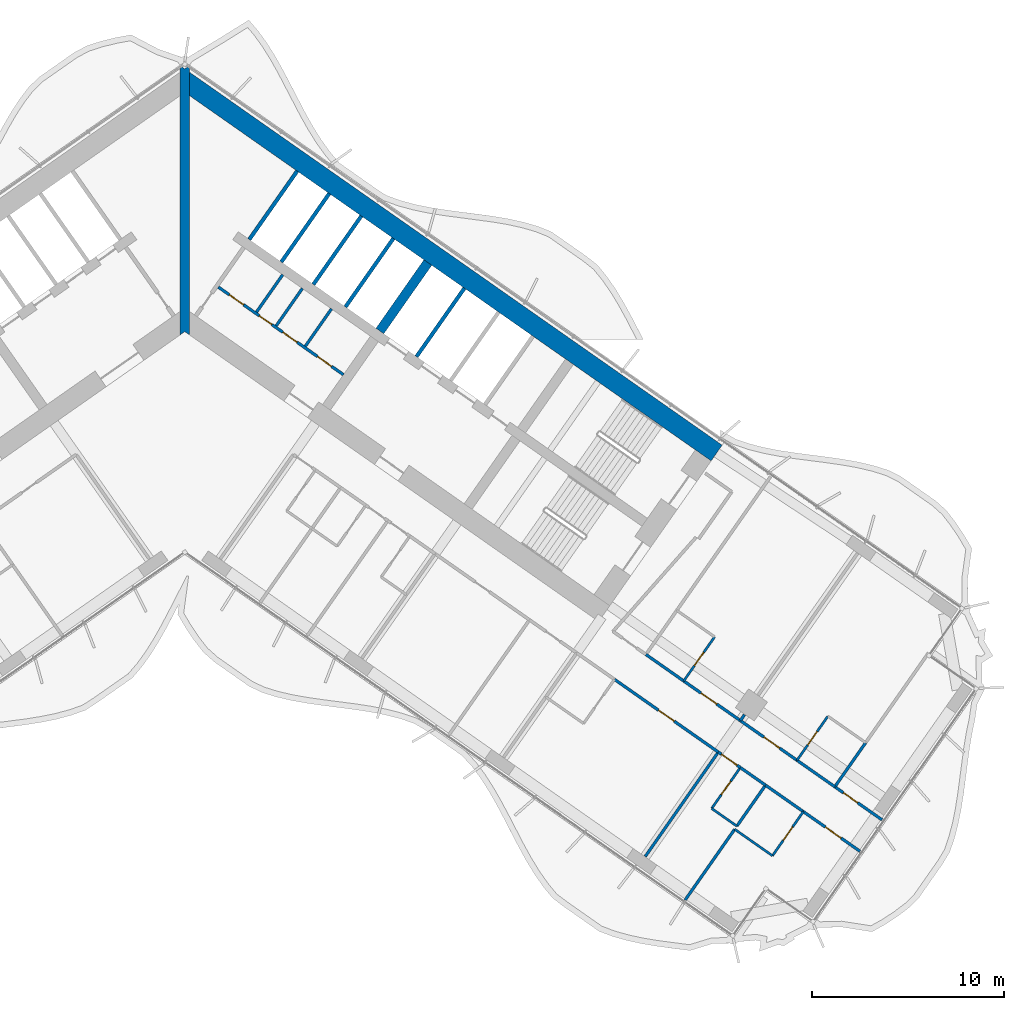
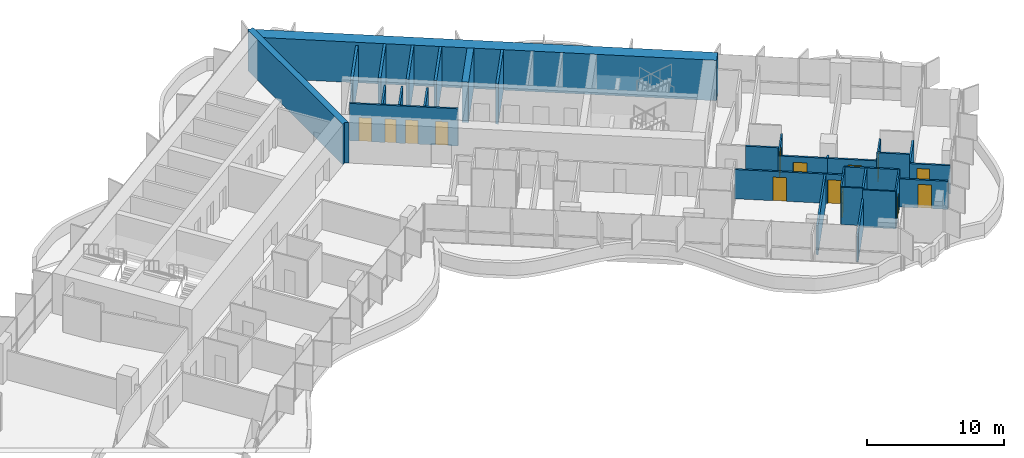
# One storey, part 15 of 23: 33 walls, 14 doors, 14 openings.
"""IFC4 building model written with IfcOpenShell, lengths in metres."""

from ifc_helpers import new_model, si_unit, direction, frame, frame_2d, origin, place, context, subcontext, project, spatial, polyline, rectangle, outline, extrude, material, layer, layer_set, type_object, element, fill, save


model = new_model("IFC4")

# Units and contexts
model_context = context("Model", 3, precision=1e-05, world=origin(), true_north=direction((0.0, 1.0)))
body_context = subcontext(model_context, "Body", "Model", "MODEL_VIEW")
ifc_project = project(units=[si_unit("LENGTHUNIT", "METRE"), si_unit("AREAUNIT", "SQUARE_METRE"), si_unit("VOLUMEUNIT", "CUBIC_METRE"), si_unit("PLANEANGLEUNIT", "RADIAN"), si_unit("MASSUNIT", "GRAM", prefix="KILO")], contexts=[model_context])

# Site, building, storey
site_placement = place(None, origin())
site = spatial("IfcSite", under=ifc_project, at=site_placement, CompositionType="ELEMENT")
building_placement = place(site_placement, origin())
building = spatial("IfcBuilding", under=site, at=building_placement, Name="Tel Ilan Convention Tower", CompositionType="ELEMENT")
storey_placement = place(building_placement, frame((0.0, 0.0, 115.699951171875)))
storey = spatial("IfcBuildingStorey", under=building, at=storey_placement, Name="L25", CompositionType="ELEMENT", Elevation=115.699951171875)

# Wall, openings, doors
ifc_material_1 = material(Name="Gypsum Plasterboard on Steel Stud", Category="steel")
ifc_layer_1 = layer(ifc_material_1, 0.14990234375)
ifc_layer_set_1 = layer_set([ifc_layer_1], Name="Core Room Partition Wall 150 mm EI 60")
wall_type_1 = type_object("IfcWallType", Name="Core Room Partition Wall 150 mm EI 60", PredefinedType="PARTITIONING", material=ifc_layer_set_1)
wall_1_placement = place(storey_placement, frame((1.7451171875, 1.097412109375, 0.0), z_axis=(0.0, 0.0, 1.0), x_axis=(0.819156890572, -0.573569515079, 0.0)))
wall_1 = element("IfcWall", 1, at=wall_1_placement, inside=storey, type_object=wall_type_1, Name="L25 core wall wc-h1", PredefinedType="PARTITIONING", context=body_context, shape_type="SweptSolid", body=[
    extrude(rectangle(XDim=7.949951171875, YDim=0.14990234375, at=frame_2d((3.97509765625, 0.0))), origin(), (0.0, 0.0, 1.0), 3.320068359375),
])
opening_1_placement = place(wall_1_placement, frame((0.699951171875, 0.0, 0.0)))
opening_1 = element("IfcOpeningElement", 2, at=opening_1_placement, cuts=wall_1, Name="Opening CD2010", PredefinedType="OPENING", context=body_context, shape_type="SweptSolid", body=[
    extrude(rectangle(XDim=0.89990234375, YDim=2.10009765625, at=frame_2d((0.449951171875, 1.050048828125))), frame((0.0, 0.0849609375, 0.0), z_axis=(0.0, -1.0, 0.0), x_axis=(1.0, 0.0, 0.0)), (0.0, 0.0, 1.0), 0.169921875),
])
opening_2_placement = place(wall_1_placement, frame((2.60009765625, 0.0, 0.0)))
opening_2 = element("IfcOpeningElement", 3, at=opening_2_placement, cuts=wall_1, Name="Opening CD2009", PredefinedType="OPENING", context=body_context, shape_type="SweptSolid", body=[
    extrude(rectangle(XDim=0.800048828125, YDim=2.10009765625, at=frame_2d((0.39990234375, 1.050048828125))), frame((0.0, 0.0849609375, 0.0), z_axis=(0.0, -1.0, 0.0), x_axis=(1.0, 0.0, 0.0)), (0.0, 0.0, 1.0), 0.169921875),
])
opening_3_placement = place(wall_1_placement, frame((4.10009765625, 0.0, 0.0)))
opening_3 = element("IfcOpeningElement", 4, at=opening_3_placement, cuts=wall_1, Name="Opening CD2008", PredefinedType="OPENING", context=body_context, shape_type="SweptSolid", body=[
    extrude(rectangle(XDim=0.89990234375, YDim=2.10009765625, at=frame_2d((0.449951171875, 1.050048828125))), frame((0.0, 0.0849609375, 0.0), z_axis=(0.0, -1.0, 0.0), x_axis=(1.0, 0.0, 0.0)), (0.0, 0.0, 1.0), 0.169921875),
])
opening_4_placement = place(wall_1_placement, frame((6.300048828125, 0.0, 0.0)))
opening_4 = element("IfcOpeningElement", 5, at=opening_4_placement, cuts=wall_1, Name="Opening CD2011", PredefinedType="OPENING", context=body_context, shape_type="SweptSolid", body=[
    extrude(rectangle(XDim=0.89990234375, YDim=2.10009765625, at=frame_2d((0.449951171875, 1.050048828125))), frame((0.0, 0.0849609375, 0.0), z_axis=(0.0, -1.0, 0.0), x_axis=(1.0, 0.0, 0.0)), (0.0, 0.0, 1.0), 0.169921875),
])
ifc_material_2 = material(Name="Galvanised Steel Door Leaf", Category="steel")
door_type_1 = type_object("IfcDoorType", Name="Store Door 800 x 2100 FD60", OperationType="NOTDEFINED", PredefinedType="DOOR", material=ifc_material_2)
door_1_placement = place(opening_2_placement, origin())
door_1 = element("IfcDoor", 6, at=door_1_placement, inside=storey, type_object=door_type_1, Name="Cleaner's store door", OperationType="SINGLE_SWING_RIGHT", OverallHeight=2.10009765625, OverallWidth=0.800048828125, PredefinedType="DOOR", context=body_context, shape_type="SweptSolid", body=[
    extrude(rectangle(XDim=0.800048828125, YDim=2.10009765625, at=frame_2d((0.39990234375, 1.050048828125))), frame((0.0, 0.02490234375, 0.0), z_axis=(0.0, -1.0, 0.0), x_axis=(1.0, 0.0, 0.0)), (0.0, 0.0, 1.0), 0.050048828125),
])
fill(opening_2, door_1)
ifc_material_3 = material(Name="Laminated Timber Door Leaf", Category="wood")
door_type_2 = type_object("IfcDoorType", Name="Toilet Door 900 x 2100 FD30S", OperationType="NOTDEFINED", PredefinedType="DOOR", material=ifc_material_3)
door_2_placement = place(opening_1_placement, origin())
door_2 = element("IfcDoor", 7, at=door_2_placement, inside=storey, type_object=door_type_2, Name="Men's WC door", OperationType="SINGLE_SWING_RIGHT", OverallHeight=2.10009765625, OverallWidth=0.89990234375, PredefinedType="DOOR", context=body_context, shape_type="SweptSolid", body=[
    extrude(rectangle(XDim=0.89990234375, YDim=2.10009765625, at=frame_2d((0.449951171875, 1.050048828125))), frame((0.0, 0.02490234375, 0.0), z_axis=(0.0, -1.0, 0.0), x_axis=(1.0, 0.0, 0.0)), (0.0, 0.0, 1.0), 0.050048828125),
])
fill(opening_1, door_2)
door_3_placement = place(opening_3_placement, origin())
door_3 = element("IfcDoor", 8, at=door_3_placement, inside=storey, type_object=door_type_2, Name="Accessible WC door", OperationType="SINGLE_SWING_RIGHT", OverallHeight=2.10009765625, OverallWidth=0.89990234375, PredefinedType="DOOR", context=body_context, shape_type="SweptSolid", body=[
    extrude(rectangle(XDim=0.89990234375, YDim=2.10009765625, at=frame_2d((0.449951171875, 1.050048828125))), frame((0.0, 0.02490234375, 0.0), z_axis=(0.0, -1.0, 0.0), x_axis=(1.0, 0.0, 0.0)), (0.0, 0.0, 1.0), 0.050048828125),
])
fill(opening_3, door_3)
door_4_placement = place(opening_4_placement, origin())
door_4 = element("IfcDoor", 9, at=door_4_placement, inside=storey, type_object=door_type_2, Name="Women's WC door", OperationType="SINGLE_SWING_RIGHT", OverallHeight=2.10009765625, OverallWidth=0.89990234375, PredefinedType="DOOR", context=body_context, shape_type="SweptSolid", body=[
    extrude(rectangle(XDim=0.89990234375, YDim=2.10009765625, at=frame_2d((0.449951171875, 1.050048828125))), frame((0.0, 0.02490234375, 0.0), z_axis=(0.0, -1.0, 0.0), x_axis=(1.0, 0.0, 0.0)), (0.0, 0.0, 1.0), 0.050048828125),
])
fill(opening_4, door_4)

# Walls
for number, where, z_axis, x_axis, name in (
    (10, (3.733642578125, -0.203369140625, 0.0), (0.0, 0.0, 1.0), (0.573579618003, 0.819149816463, 0.0), "L25 core wall wc-v0"),
    (11, (4.757568359375, -0.92041015625, 0.0), (0.0, 0.0, 1.0), (0.573579618003, 0.819149816463, 0.0), "L25 core wall wc-v1"),
    (12, (6.27294921875, -1.9814453125, 0.0), (0.0, 0.0, 1.0), (0.573579618003, 0.819149816463, 0.0), "L25 core wall wc-v2"),
):
    element("IfcWall", number, at=place(storey_placement, frame(where, z_axis=z_axis, x_axis=x_axis)), inside=storey, type_object=wall_type_1, Name=name, PredefinedType="PARTITIONING", context=body_context, shape_type="SweptSolid", body=[
        extrude(rectangle(XDim=2.375, YDim=0.14990234375, at=frame_2d((1.1875, 0.0))), origin(), (0.0, 0.0, 1.0), 3.320068359375),
    ])
ifc_material_4 = material(Name="Concrete C30/37", Category="concrete")
ifc_layer_2 = layer(ifc_material_4, 0.199951171875)
ifc_layer_set_2 = layer_set([ifc_layer_2], Name="Core Service Room Wall 200 mm C30/37")
wall_type_2 = type_object("IfcWallType", Name="Core Service Room Wall 200 mm C30/37", PredefinedType="SOLIDWALL", material=ifc_layer_set_2)
wall_2_placement = place(storey_placement, frame((3.355224609375, 3.5712890625, 0.0), z_axis=(0.0, 0.0, 1.0), x_axis=(0.57356780395, 0.819158088694, 0.0)))
element("IfcWall", 13, at=wall_2_placement, inside=storey, type_object=wall_type_2, Name="L25 core wall apex-E-b", PredefinedType="SOLIDWALL", context=body_context, shape_type="SweptSolid", body=[
    extrude(rectangle(XDim=4.35009765625, YDim=0.199951171875, at=frame_2d((2.175048828125, 0.0))), origin(), (0.0, 0.0, 1.0), 3.320068359375),
])
ifc_material_5 = material(Name="Concrete C60/75", Category="concrete")
ifc_layer_3 = layer(ifc_material_5, 1.0)
ifc_layer_set_3 = layer_set([ifc_layer_3], Name="Core Shear Wall 1000 mm C60/75")
wall_type_3 = type_object("IfcWallType", Name="Core Shear Wall 1000 mm C60/75", PredefinedType="SHEAR", material=ifc_layer_set_3)
wall_3_placement = place(storey_placement, frame((-0.036865234375, 11.8671875, 0.0), z_axis=(0.0, 0.0, 1.0), x_axis=(0.819155306259, -0.573571777746, 0.0)))
element("IfcWall", 14, at=wall_3_placement, inside=storey, type_object=wall_type_3, Name="L25 core wall E-back", PredefinedType="SHEAR", context=body_context, shape_type="SweptSolid", body=[
    extrude(outline(polyline([(33.8369140625, 0.5), (0.0, 0.5), (0.7001953125, -0.499755859375), (33.8369140625, -0.5), (33.8369140625, 0.5)])), origin(), (0.0, 0.0, 1.0), 3.60009765625),
])
ifc_material_6 = material(Name="Concrete C60/75", Category="concrete")
ifc_layer_4 = layer(ifc_material_6, 0.5)
ifc_layer_set_4 = layer_set([ifc_layer_4], Name="Core Shear Wall 500 mm C60/75")
wall_type_4 = type_object("IfcWallType", Name="Core Shear Wall 500 mm C60/75", PredefinedType="SHEAR", material=ifc_layer_set_4)
wall_4_placement = place(storey_placement, frame((10.154296875, -1.189208984375, 0.0), z_axis=(0.0, 0.0, 1.0), x_axis=(0.573594173421, 0.819139624372, 0.0)))
element("IfcWall", 15, at=wall_4_placement, inside=storey, type_object=wall_type_4, Name="L25 core wall E-cross1-2", PredefinedType="SHEAR", context=body_context, shape_type="SweptSolid", body=[
    extrude(outline(polyline([(4.349853515625, -0.25), (4.349853515625, 0.25), (-0.000244140625, 0.25), (-0.000244140625, -0.25), (4.349853515625, -0.25)])), origin(), (0.0, 0.0, 1.0), 3.60009765625),
])
wall_5_placement = place(storey_placement, frame((0.0, -1.395751953125, 0.0), z_axis=(0.0, 0.0, 1.0), x_axis=(0.0, 1.0, 0.0)))
element("IfcWall", 16, at=wall_5_placement, inside=storey, type_object=wall_type_4, Name="L25 core wall K-central", PredefinedType="SHEAR", context=body_context, shape_type="SweptSolid", body=[
    extrude(outline(polyline([(0.0, -0.25), (0.175048828125, -0.25), (1.220703125, -0.25), (12.451904296875, -0.25), (13.84765625, -0.25), (13.85693359375, -0.25), (13.96826171875, -0.172119140625), (13.84765625, 0.0), (13.96826171875, 0.172119140625), (13.85693359375, 0.25), (13.84765625, 0.25), (12.451904296875, 0.25), (1.220703125, 0.25), (0.175048828125, 0.25), (0.0, 0.25), (0.175048828125, 0.0), (0.0, -0.25)])), origin(), (0.0, 0.0, 1.0), 3.60009765625),
])

# Wall, opening, door
ifc_material_7 = material(Name="Plasterboard on Steel Studs", Category="steel")
ifc_layer_5 = layer(ifc_material_7, 0.14990234375)
ifc_layer_set_5 = layer_set([ifc_layer_5], Name="Fire-rated Partition 150 EI 60")
wall_type_5 = type_object("IfcWallType", Name="Fire-rated Partition 150 EI 60", PredefinedType="PARTITIONING", material=ifc_layer_set_5)
wall_6_placement = place(storey_placement, frame((25.966064453125, -19.402587890625, 0.0), z_axis=(0.0, 0.0, 1.0), x_axis=(0.81917779803, -0.57353965444, 0.0)))
wall_6 = element("IfcWall", 17, at=wall_6_placement, inside=storey, type_object=wall_type_5, Name="Partition 002", PredefinedType="PARTITIONING", context=body_context, shape_type="SweptSolid", body=[
    extrude(rectangle(XDim=3.602783203125, YDim=0.14990234375, at=frame_2d((1.80126953125, 0.0))), origin(), (0.0, 0.0, 1.0), 2.60009765625),
])
opening_5_placement = place(wall_6_placement, frame((1.10107421875, 0.0, 0.0)))
opening_5 = element("IfcOpeningElement", 18, at=opening_5_placement, cuts=wall_6, Name="Opening L24-029", PredefinedType="OPENING", context=body_context, shape_type="SweptSolid", body=[
    extrude(rectangle(XDim=1.0, YDim=2.10009765625, at=frame_2d((0.5, 1.050048828125))), frame((0.0, 0.0849609375, 0.0), z_axis=(0.0, -1.0, 0.0), x_axis=(1.0, 0.0, 0.0)), (0.0, 0.0, 1.0), 0.169921875),
])
ifc_material_8 = material(Name="Timber Door Leaf in Steel Frame", Category="steel")
door_type_3 = type_object("IfcDoorType", Name="Hotel Room Entrance Fire Door 1000x2100", OperationType="NOTDEFINED", PredefinedType="DOOR", material=ifc_material_8)
door_5_placement = place(opening_5_placement, origin())
door_5 = element("IfcDoor", 19, at=door_5_placement, inside=storey, type_object=door_type_3, Name="Door L24-029", OperationType="SINGLE_SWING_LEFT", OverallHeight=2.10009765625, OverallWidth=1.0, PredefinedType="DOOR", context=body_context, shape_type="SweptSolid", body=[
    extrude(rectangle(XDim=1.0, YDim=2.10009765625, at=frame_2d((0.5, 1.050048828125))), frame((0.0, 0.02490234375, 0.0), z_axis=(0.0, -1.0, 0.0), x_axis=(1.0, 0.0, 0.0)), (0.0, 0.0, 1.0), 0.050048828125),
])
fill(opening_5, door_5)

# Wall
wall_7_placement = place(storey_placement, frame((23.999267578125, -18.025390625, 0.0), z_axis=(0.0, 0.0, 1.0), x_axis=(0.819146032251, -0.573585022335, 0.0)))
element("IfcWall", 20, at=wall_7_placement, inside=storey, type_object=wall_type_5, Name="Partition 003", PredefinedType="PARTITIONING", context=body_context, shape_type="SweptSolid", body=[
    extrude(rectangle(XDim=2.404052734375, YDim=0.14990234375, at=frame_2d((1.2021484375, 0.0))), origin(), (0.0, 0.0, 1.0), 3.320068359375),
])

# Wall, opening, door
wall_8_placement = place(storey_placement, frame((28.914306640625, -21.466796875, 0.0), z_axis=(0.0, 0.0, 1.0), x_axis=(0.819145961204, -0.573585123798, 0.0)))
wall_8 = element("IfcWall", 21, at=wall_8_placement, inside=storey, type_object=wall_type_5, Name="Partition 004", PredefinedType="PARTITIONING", context=body_context, shape_type="SweptSolid", body=[
    extrude(rectangle(XDim=3.60302734375, YDim=0.14990234375, at=frame_2d((1.801513671875, 0.0))), origin(), (0.0, 0.0, 1.0), 2.60009765625),
])
opening_6_placement = place(wall_8_placement, frame((1.501953125, 0.0, 0.0)))
opening_6 = element("IfcOpeningElement", 22, at=opening_6_placement, cuts=wall_8, Name="Opening L24-031", PredefinedType="OPENING", context=body_context, shape_type="SweptSolid", body=[
    extrude(rectangle(XDim=1.0, YDim=2.10009765625, at=frame_2d((0.5, 1.050048828125))), frame((0.0, 0.0849609375, 0.0), z_axis=(0.0, -1.0, 0.0), x_axis=(1.0, 0.0, 0.0)), (0.0, 0.0, 1.0), 0.169921875),
])
door_6_placement = place(opening_6_placement, origin())
door_6 = element("IfcDoor", 23, at=door_6_placement, inside=storey, type_object=door_type_3, Name="Door L24-031", OperationType="SINGLE_SWING_LEFT", OverallHeight=2.10009765625, OverallWidth=1.0, PredefinedType="DOOR", context=body_context, shape_type="SweptSolid", body=[
    extrude(rectangle(XDim=1.0, YDim=2.10009765625, at=frame_2d((0.5, 1.050048828125))), frame((0.0, 0.02490234375, 0.0), z_axis=(0.0, -1.0, 0.0), x_axis=(1.0, 0.0, 0.0)), (0.0, 0.0, 1.0), 0.050048828125),
])
fill(opening_6, door_6)

# Wall
wall_9_placement = place(storey_placement, frame((31.86328125, -23.531494140625, 0.0), z_axis=(0.0, 0.0, 1.0), x_axis=(0.819146032251, -0.573585022335, 0.0)))
element("IfcWall", 24, at=wall_9_placement, inside=storey, type_object=wall_type_5, Name="Partition 005", PredefinedType="PARTITIONING", context=body_context, shape_type="SweptSolid", body=[
    extrude(rectangle(XDim=2.404052734375, YDim=0.14990234375, at=frame_2d((1.2021484375, 0.0))), origin(), (0.0, 0.0, 1.0), 3.320068359375),
])

# Wall, opening, door
wall_10_placement = place(storey_placement, frame((33.8291015625, -24.908203125, 0.0), z_axis=(0.0, 0.0, 1.0), x_axis=(0.81915932427, -0.57356603932, 0.0)))
wall_10 = element("IfcWall", 25, at=wall_10_placement, inside=storey, type_object=wall_type_5, Name="Partition 006", PredefinedType="PARTITIONING", context=body_context, shape_type="SweptSolid", body=[
    extrude(rectangle(XDim=3.002197265625, YDim=0.14990234375, at=frame_2d((1.5009765625, 0.0))), origin(), (0.0, 0.0, 1.0), 2.5),
])
opening_7_placement = place(wall_10_placement, frame((0.551025390625, 0.0, 0.0)))
opening_7 = element("IfcOpeningElement", 26, at=opening_7_placement, cuts=wall_10, Name="Opening L24-032", PredefinedType="OPENING", context=body_context, shape_type="SweptSolid", body=[
    extrude(rectangle(XDim=0.89990234375, YDim=2.10009765625, at=frame_2d((0.449951171875, 1.050048828125))), frame((0.0, 0.0849609375, 0.0), z_axis=(0.0, -1.0, 0.0), x_axis=(1.0, 0.0, 0.0)), (0.0, 0.0, 1.0), 0.169921875),
])
ifc_material_9 = material(Name="Timber Door Leaf in Steel Frame", Category="steel")
door_type_4 = type_object("IfcDoorType", Name="Room Fire Door 900x2100", OperationType="NOTDEFINED", PredefinedType="DOOR", material=ifc_material_9)
door_7_placement = place(opening_7_placement, origin())
door_7 = element("IfcDoor", 27, at=door_7_placement, inside=storey, type_object=door_type_4, Name="Door L24-032", OperationType="SINGLE_SWING_RIGHT", OverallHeight=2.10009765625, OverallWidth=0.89990234375, PredefinedType="DOOR", context=body_context, shape_type="SweptSolid", body=[
    extrude(rectangle(XDim=0.89990234375, YDim=2.10009765625, at=frame_2d((0.449951171875, 1.050048828125))), frame((0.0, 0.02490234375, 0.0), z_axis=(0.0, -1.0, 0.0), x_axis=(1.0, 0.0, 0.0)), (0.0, 0.0, 1.0), 0.050048828125),
])
fill(opening_7, door_7)

wall_11_placement = place(storey_placement, frame((27.7705078125, -23.107421875, 0.0), z_axis=(0.0, 0.0, 1.0), x_axis=(-0.819153746897, 0.573574004767, 0.0)))
wall_11 = element("IfcWall", 28, at=wall_11_placement, inside=storey, type_object=wall_type_5, Name="Partition 015", PredefinedType="PARTITIONING", context=body_context, shape_type="SweptSolid", body=[
    extrude(rectangle(XDim=6.60302734375, YDim=0.14990234375, at=frame_2d((3.301513671875, 0.0))), origin(), (0.0, 0.0, 1.0), 2.60009765625),
])
opening_8_placement = place(wall_11_placement, frame((2.802001953125, 0.0, 0.0)))
opening_8 = element("IfcOpeningElement", 29, at=opening_8_placement, cuts=wall_11, Name="Opening L24-022", PredefinedType="OPENING", context=body_context, shape_type="SweptSolid", body=[
    extrude(rectangle(XDim=1.0, YDim=2.10009765625, at=frame_2d((0.5, 1.050048828125))), frame((0.0, 0.0849609375, 0.0), z_axis=(0.0, -1.0, 0.0), x_axis=(1.0, 0.0, 0.0)), (0.0, 0.0, 1.0), 0.169921875),
])
door_8_placement = place(opening_8_placement, origin())
door_8 = element("IfcDoor", 30, at=door_8_placement, inside=storey, type_object=door_type_3, Name="Door L24-022", OperationType="SINGLE_SWING_LEFT", OverallHeight=2.10009765625, OverallWidth=1.0, PredefinedType="DOOR", context=body_context, shape_type="SweptSolid", body=[
    extrude(rectangle(XDim=1.0, YDim=2.10009765625, at=frame_2d((0.5, 1.050048828125))), frame((0.0, 0.02490234375, 0.0), z_axis=(0.0, -1.0, 0.0), x_axis=(1.0, 0.0, 0.0)), (0.0, 0.0, 1.0), 0.050048828125),
])
fill(opening_8, door_8)

wall_12_placement = place(storey_placement, frame((28.91650390625, -23.909912109375, 0.0), z_axis=(0.0, 0.0, 1.0), x_axis=(-0.819117471667, 0.573625808005, 0.0)))
wall_12 = element("IfcWall", 31, at=wall_12_placement, inside=storey, type_object=wall_type_5, Name="Partition 017", PredefinedType="PARTITIONING", context=body_context, shape_type="SweptSolid", body=[
    extrude(rectangle(XDim=1.4033203125, YDim=0.14990234375, at=frame_2d((0.70166015625, 0.0))), origin(), (0.0, 0.0, 1.0), 2.60009765625),
])
opening_9_placement = place(wall_12_placement, frame((0.200927734375, 0.0, 0.0)))
opening_9 = element("IfcOpeningElement", 32, at=opening_9_placement, cuts=wall_12, Name="Opening L24-024", PredefinedType="OPENING", context=body_context, shape_type="SweptSolid", body=[
    extrude(rectangle(XDim=1.0, YDim=2.10009765625, at=frame_2d((0.5, 1.050048828125))), frame((0.0, 0.0849609375, 0.0), z_axis=(0.0, -1.0, 0.0), x_axis=(1.0, 0.0, 0.0)), (0.0, 0.0, 1.0), 0.169921875),
])
door_9_placement = place(opening_9_placement, origin())
door_9 = element("IfcDoor", 33, at=door_9_placement, inside=storey, type_object=door_type_3, Name="Door L24-024", OperationType="SINGLE_SWING_LEFT", OverallHeight=2.10009765625, OverallWidth=1.0, PredefinedType="DOOR", context=body_context, shape_type="SweptSolid", body=[
    extrude(rectangle(XDim=1.0, YDim=2.10009765625, at=frame_2d((0.5, 1.050048828125))), frame((0.0, 0.02490234375, 0.0), z_axis=(0.0, -1.0, 0.0), x_axis=(1.0, 0.0, 0.0)), (0.0, 0.0, 1.0), 0.050048828125),
])
fill(opening_9, door_9)

# Wall
wall_13_placement = place(storey_placement, frame((30.227783203125, -24.828125, 0.0), z_axis=(0.0, 0.0, 1.0), x_axis=(-0.819189013667, 0.573523634986, 0.0)))
element("IfcWall", 34, at=wall_13_placement, inside=storey, type_object=wall_type_5, Name="Partition 018", PredefinedType="PARTITIONING", context=body_context, shape_type="SweptSolid", body=[
    extrude(rectangle(XDim=1.60400390625, YDim=0.14990234375, at=frame_2d((0.802001953125, 0.0))), origin(), (0.0, 0.0, 1.0), 3.320068359375),
])

# Wall, opening, door
wall_14_placement = place(storey_placement, frame((35.14111328125, -28.268310546875, 0.0), z_axis=(0.0, 0.0, 1.0), x_axis=(-0.819149096931, 0.573580645591, 0.0)))
wall_14 = element("IfcWall", 35, at=wall_14_placement, inside=storey, type_object=wall_type_5, Name="Partition 019", PredefinedType="PARTITIONING", context=body_context, shape_type="SweptSolid", body=[
    extrude(rectangle(XDim=3.600830078125, YDim=0.14990234375, at=frame_2d((1.80029296875, 0.0))), origin(), (0.0, 0.0, 1.0), 2.5),
])
opening_10_placement = place(wall_14_placement, frame((1.199951171875, 0.0, 0.0)))
opening_10 = element("IfcOpeningElement", 36, at=opening_10_placement, cuts=wall_14, Name="Opening L24-026", PredefinedType="OPENING", context=body_context, shape_type="SweptSolid", body=[
    extrude(rectangle(XDim=1.0, YDim=2.10009765625, at=frame_2d((0.5, 1.050048828125))), frame((0.0, 0.0849609375, 0.0), z_axis=(0.0, -1.0, 0.0), x_axis=(1.0, 0.0, 0.0)), (0.0, 0.0, 1.0), 0.169921875),
])
door_10_placement = place(opening_10_placement, origin())
door_10 = element("IfcDoor", 37, at=door_10_placement, inside=storey, type_object=door_type_3, Name="Door L24-026", OperationType="SINGLE_SWING_LEFT", OverallHeight=2.10009765625, OverallWidth=1.0, PredefinedType="DOOR", context=body_context, shape_type="SweptSolid", body=[
    extrude(rectangle(XDim=1.0, YDim=2.10009765625, at=frame_2d((0.5, 1.050048828125))), frame((0.0, 0.02490234375, 0.0), z_axis=(0.0, -1.0, 0.0), x_axis=(1.0, 0.0, 0.0)), (0.0, 0.0, 1.0), 0.050048828125),
])
fill(opening_10, door_10)

# Walls
wall_15_placement = place(storey_placement, frame((32.19384765625, -26.20458984375, 0.0), z_axis=(0.0, 0.0, 1.0), x_axis=(-0.819146032251, 0.573585022335, 0.0)))
element("IfcWall", 38, at=wall_15_placement, inside=storey, type_object=wall_type_5, Name="Partition 020", PredefinedType="PARTITIONING", context=body_context, shape_type="SweptSolid", body=[
    extrude(rectangle(XDim=2.404052734375, YDim=0.14990234375, at=frame_2d((1.2021484375, 0.0))), origin(), (0.0, 0.0, 1.0), 3.320068359375),
])
wall_16_placement = place(storey_placement, frame((29.1337890625, -21.156494140625, 0.0), z_axis=(0.0, 0.0, 1.0), x_axis=(-0.572944929411, -0.819593867633, 0.0)))
element("IfcWall", 39, at=wall_16_placement, inside=storey, type_object=wall_type_5, Name="Partition 041", PredefinedType="PARTITIONING", context=body_context, shape_type="SweptSolid", body=[
    extrude(rectangle(XDim=0.380126953125, YDim=0.14990234375, at=frame_2d((0.18994140625, 0.0))), origin(), (0.0, 0.0, 1.0), 2.60009765625),
])
wall_17_placement = place(storey_placement, frame((35.436767578125, -22.61572265625, 0.0), z_axis=(0.0, 0.0, 1.0), x_axis=(-0.573550118428, -0.819170471667, 0.0)))
element("IfcWall", 40, at=wall_17_placement, inside=storey, type_object=wall_type_5, Name="Partition 045", PredefinedType="PARTITIONING", context=body_context, shape_type="SweptSolid", body=[
    extrude(rectangle(XDim=2.800048828125, YDim=0.14990234375, at=frame_2d((1.39990234375, 0.0))), origin(), (0.0, 0.0, 1.0), 2.60009765625),
])
wall_18_placement = place(storey_placement, frame((27.768798828125, -23.106201171875, 0.0), z_axis=(0.0, 0.0, 1.0), x_axis=(-0.57359826181, -0.819136761505, 0.0)))
element("IfcWall", 41, at=wall_18_placement, inside=storey, type_object=wall_type_5, Name="Partition 063", PredefinedType="PARTITIONING", context=body_context, shape_type="SweptSolid", body=[
    extrude(rectangle(XDim=6.630126953125, YDim=0.14990234375, at=frame_2d((3.31494140625, 0.0))), origin(), (0.0, 0.0, 1.0), 2.60009765625),
])
wall_19_placement = place(storey_placement, frame((28.620849609375, -27.11962890625, 0.0), z_axis=(0.0, 0.0, 1.0), x_axis=(-0.573593387921, -0.81914017441, 0.0)))
element("IfcWall", 42, at=wall_19_placement, inside=storey, type_object=wall_type_5, Name="Partition 066", PredefinedType="PARTITIONING", context=body_context, shape_type="SweptSolid", body=[
    extrude(rectangle(XDim=4.5009765625, YDim=0.14990234375, at=frame_2d((2.25048828125, 0.0))), origin(), (0.0, 0.0, 1.0), 2.5),
])
wall_20_placement = place(storey_placement, frame((30.226318359375, -24.826904296875, 0.0), z_axis=(0.0, 0.0, 1.0), x_axis=(-0.573600972199, -0.819134863556, 0.0)))
element("IfcWall", 43, at=wall_20_placement, inside=storey, type_object=wall_type_5, Name="Partition 067", PredefinedType="PARTITIONING", context=body_context, shape_type="SweptSolid", body=[
    extrude(rectangle(XDim=2.60009765625, YDim=0.14990234375, at=frame_2d((1.300048828125, 0.0))), origin(), (0.0, 0.0, 1.0), 3.320068359375),
])
ifc_material_10 = material(Name="Concrete C30/37", Category="concrete")
ifc_layer_6 = layer(ifc_material_10, 0.199951171875)
ifc_layer_set_6 = layer_set([ifc_layer_6], Name="Lift Shaft Wall 200 mm C30/37")
wall_type_6 = type_object("IfcWallType", Name="Lift Shaft Wall 200 mm C30/37", PredefinedType="SOLIDWALL", material=ifc_layer_set_6)
wall_21_placement = place(storey_placement, frame((5.0244140625, 2.402587890625, 0.0), z_axis=(0.0, 0.0, 1.0), x_axis=(0.573530143085, 0.819184457233, 0.0)))
element("IfcWall", 44, at=wall_21_placement, inside=storey, type_object=wall_type_6, Name="L25 core wall bank-E1-p0", PredefinedType="SOLIDWALL", context=body_context, shape_type="SweptSolid", body=[
    extrude(rectangle(XDim=4.35009765625, YDim=0.199951171875, at=frame_2d((2.175048828125, 0.0))), origin(), (0.0, 0.0, 1.0), 3.60009765625),
])
for number, where, z_axis, x_axis, name in (
    (45, (6.693359375, 1.234130859375, 0.0), (0.0, 0.0, 1.0), (0.573594173421, 0.819139624372, 0.0), "L25 core wall bank-E1-p1"),
    (46, (8.3623046875, 0.0654296875, 0.0), (0.0, 0.0, 1.0), (0.573594173421, 0.819139624372, 0.0), "L25 core wall bank-E1-p2"),
    (47, (12.05859375, -2.52294921875, 0.0), (0.0, 0.0, 1.0), (0.573594173421, 0.819139624372, 0.0), "L25 core wall bank-E2-p0"),
):
    element("IfcWall", number, at=place(storey_placement, frame(where, z_axis=z_axis, x_axis=x_axis)), inside=storey, type_object=wall_type_6, Name=name, PredefinedType="SOLIDWALL", context=body_context, shape_type="SweptSolid", body=[
        extrude(rectangle(XDim=4.349853515625, YDim=0.199951171875, at=frame_2d((2.1748046875, 0.0))), origin(), (0.0, 0.0, 1.0), 3.60009765625),
    ])

# Wall, opening, door
ifc_material_11 = material(Name="Plasterboard on Steel Studs", Category="steel")
ifc_layer_7 = layer(ifc_material_11, 0.1201171875)
ifc_layer_set_7 = layer_set([ifc_layer_7], Name="Moisture-resistant Partition 120")
wall_type_7 = type_object("IfcWallType", Name="Moisture-resistant Partition 120", PredefinedType="PARTITIONING", material=ifc_layer_set_7)
wall_22_placement = place(storey_placement, frame((25.9677734375, -19.403564453125, 0.0), z_axis=(0.0, 0.0, 1.0), x_axis=(0.573591086599, 0.819141785879, 0.0)))
wall_22 = element("IfcWall", 48, at=wall_22_placement, inside=storey, type_object=wall_type_7, Name="Partition 038", PredefinedType="PARTITIONING", context=body_context, shape_type="SweptSolid", body=[
    extrude(rectangle(XDim=2.7998046875, YDim=0.1201171875, at=frame_2d((1.39990234375, 0.0))), origin(), (0.0, 0.0, 1.0), 2.60009765625),
])
opening_11_placement = place(wall_22_placement, frame((0.97509765625, 0.0, 0.0)))
opening_11 = element("IfcOpeningElement", 49, at=opening_11_placement, cuts=wall_22, Name="Opening L24-028", PredefinedType="OPENING", context=body_context, shape_type="SweptSolid", body=[
    extrude(rectangle(XDim=0.85009765625, YDim=2.050048828125, at=frame_2d((0.425048828125, 1.02490234375))), frame((0.0, 0.070068359375, 0.0), z_axis=(0.0, -1.0, 0.0), x_axis=(1.0, 0.0, 0.0)), (0.0, 0.0, 1.0), 0.14013671875),
])
ifc_material_12 = material(Name="Timber Door Leaf in Steel Frame", Category="steel")
door_type_5 = type_object("IfcDoorType", Name="Bathroom Timber Door 850x2050", OperationType="NOTDEFINED", PredefinedType="DOOR", material=ifc_material_12)
door_11_placement = place(opening_11_placement, origin())
door_11 = element("IfcDoor", 50, at=door_11_placement, inside=storey, type_object=door_type_5, Name="Door L24-028", OperationType="SINGLE_SWING_RIGHT", OverallHeight=2.050048828125, OverallWidth=0.85009765625, PredefinedType="DOOR", context=body_context, shape_type="SweptSolid", body=[
    extrude(rectangle(XDim=0.85009765625, YDim=2.050048828125, at=frame_2d((0.425048828125, 1.02490234375))), frame((0.0, 0.02490234375, 0.0), z_axis=(0.0, -1.0, 0.0), x_axis=(1.0, 0.0, 0.0)), (0.0, 0.0, 1.0), 0.050048828125),
])
fill(opening_11, door_11)

wall_23_placement = place(storey_placement, frame((33.469970703125, -21.238525390625, 0.0), z_axis=(0.0, 0.0, 1.0), x_axis=(-0.573550118428, -0.819170471667, 0.0)))
wall_23 = element("IfcWall", 51, at=wall_23_placement, inside=storey, type_object=wall_type_7, Name="Partition 043", PredefinedType="PARTITIONING", context=body_context, shape_type="SweptSolid", body=[
    extrude(rectangle(XDim=2.800048828125, YDim=0.1201171875, at=frame_2d((1.39990234375, 0.0))), origin(), (0.0, 0.0, 1.0), 2.60009765625),
])
opening_12_placement = place(wall_23_placement, frame((0.97509765625, 0.0, 0.0)))
opening_12 = element("IfcOpeningElement", 52, at=opening_12_placement, cuts=wall_23, Name="Opening L24-030", PredefinedType="OPENING", context=body_context, shape_type="SweptSolid", body=[
    extrude(rectangle(XDim=0.85009765625, YDim=2.050048828125, at=frame_2d((0.425048828125, 1.02490234375))), frame((0.0, 0.070068359375, 0.0), z_axis=(0.0, -1.0, 0.0), x_axis=(1.0, 0.0, 0.0)), (0.0, 0.0, 1.0), 0.14013671875),
])
door_12_placement = place(opening_12_placement, origin())
door_12 = element("IfcDoor", 53, at=door_12_placement, inside=storey, type_object=door_type_5, Name="Door L24-030", OperationType="SINGLE_SWING_RIGHT", OverallHeight=2.050048828125, OverallWidth=0.85009765625, PredefinedType="DOOR", context=body_context, shape_type="SweptSolid", body=[
    extrude(rectangle(XDim=0.85009765625, YDim=2.050048828125, at=frame_2d((0.425048828125, 1.02490234375))), frame((0.0, 0.02490234375, 0.0), z_axis=(0.0, -1.0, 0.0), x_axis=(1.0, 0.0, 0.0)), (0.0, 0.0, 1.0), 0.050048828125),
])
fill(opening_12, door_12)

wall_24_placement = place(storey_placement, frame((28.914794921875, -23.90869140625, 0.0), z_axis=(0.0, 0.0, 1.0), x_axis=(-0.573645091666, -0.819103967032, 0.0)))
wall_24 = element("IfcWall", 54, at=wall_24_placement, inside=storey, type_object=wall_type_7, Name="Partition 064", PredefinedType="PARTITIONING", context=body_context, shape_type="SweptSolid", body=[
    extrude(rectangle(XDim=2.599853515625, YDim=0.1201171875, at=frame_2d((1.2998046875, 0.0))), origin(), (0.0, 0.0, 1.0), 3.320068359375),
])
opening_13_placement = place(wall_24_placement, frame((0.875, 0.0, 0.0)))
opening_13 = element("IfcOpeningElement", 55, at=opening_13_placement, cuts=wall_24, Name="Opening L24-023", PredefinedType="OPENING", context=body_context, shape_type="SweptSolid", body=[
    extrude(rectangle(XDim=0.85009765625, YDim=2.050048828125, at=frame_2d((0.425048828125, 1.02490234375))), frame((0.0, 0.070068359375, 0.0), z_axis=(0.0, -1.0, 0.0), x_axis=(1.0, 0.0, 0.0)), (0.0, 0.0, 1.0), 0.14013671875),
])
door_13_placement = place(opening_13_placement, origin())
door_13 = element("IfcDoor", 56, at=door_13_placement, inside=storey, type_object=door_type_5, Name="Door L24-023", OperationType="SINGLE_SWING_RIGHT", OverallHeight=2.050048828125, OverallWidth=0.85009765625, PredefinedType="DOOR", context=body_context, shape_type="SweptSolid", body=[
    extrude(rectangle(XDim=0.85009765625, YDim=2.050048828125, at=frame_2d((0.425048828125, 1.02490234375))), frame((0.0, 0.02490234375, 0.0), z_axis=(0.0, -1.0, 0.0), x_axis=(1.0, 0.0, 0.0)), (0.0, 0.0, 1.0), 0.050048828125),
])
fill(opening_13, door_13)

# Walls
wall_25_placement = place(storey_placement, frame((27.423583984375, -26.039794921875, 0.0), z_axis=(0.0, 0.0, 1.0), x_axis=(0.81918174131, -0.573534022273, 0.0)))
element("IfcWall", 57, at=wall_25_placement, inside=storey, type_object=wall_type_7, Name="Partition 065", PredefinedType="PARTITIONING", context=body_context, shape_type="SweptSolid", body=[
    extrude(rectangle(XDim=1.60009765625, YDim=0.1201171875, at=frame_2d((0.800048828125, 0.0))), origin(), (0.0, 0.0, 1.0), 3.320068359375),
])
wall_26_placement = place(storey_placement, frame((28.61962890625, -27.121337890625, 0.0), z_axis=(0.0, 0.0, 1.0), x_axis=(0.819141114317, -0.573592045652, 0.0)))
element("IfcWall", 58, at=wall_26_placement, inside=storey, type_object=wall_type_7, Name="Partition 068", PredefinedType="PARTITIONING", context=body_context, shape_type="SweptSolid", body=[
    extrude(rectangle(XDim=2.400146484375, YDim=0.1201171875, at=frame_2d((1.2001953125, 0.0))), origin(), (0.0, 0.0, 1.0), 3.320068359375),
])

# Wall, opening, door
wall_27_placement = place(storey_placement, frame((30.5869140625, -28.497802734375, 0.0), z_axis=(0.0, 0.0, 1.0), x_axis=(0.573608623498, 0.819129505664, 0.0)))
wall_27 = element("IfcWall", 59, at=wall_27_placement, inside=storey, type_object=wall_type_7, Name="Partition 069", PredefinedType="PARTITIONING", context=body_context, shape_type="SweptSolid", body=[
    extrude(rectangle(XDim=2.800048828125, YDim=0.1201171875, at=frame_2d((1.39990234375, 0.0))), origin(), (0.0, 0.0, 1.0), 3.320068359375),
])
opening_14_placement = place(wall_27_placement, frame((0.97509765625, 0.0, 0.0)))
opening_14 = element("IfcOpeningElement", 60, at=opening_14_placement, cuts=wall_27, Name="Opening L24-025", PredefinedType="OPENING", context=body_context, shape_type="SweptSolid", body=[
    extrude(rectangle(XDim=0.85009765625, YDim=2.050048828125, at=frame_2d((0.425048828125, 1.02490234375))), frame((0.0, 0.070068359375, 0.0), z_axis=(0.0, -1.0, 0.0), x_axis=(1.0, 0.0, 0.0)), (0.0, 0.0, 1.0), 0.14013671875),
])
door_14_placement = place(opening_14_placement, origin())
door_14 = element("IfcDoor", 61, at=door_14_placement, inside=storey, type_object=door_type_5, Name="Door L24-025", OperationType="SINGLE_SWING_LEFT", OverallHeight=2.050048828125, OverallWidth=0.85009765625, PredefinedType="DOOR", context=body_context, shape_type="SweptSolid", body=[
    extrude(rectangle(XDim=0.85009765625, YDim=2.050048828125, at=frame_2d((0.425048828125, 1.02490234375))), frame((0.0, 0.02490234375, 0.0), z_axis=(0.0, -1.0, 0.0), x_axis=(1.0, 0.0, 0.0)), (0.0, 0.0, 1.0), 0.050048828125),
])
fill(opening_14, door_14)

save(model, "model.ifc")
